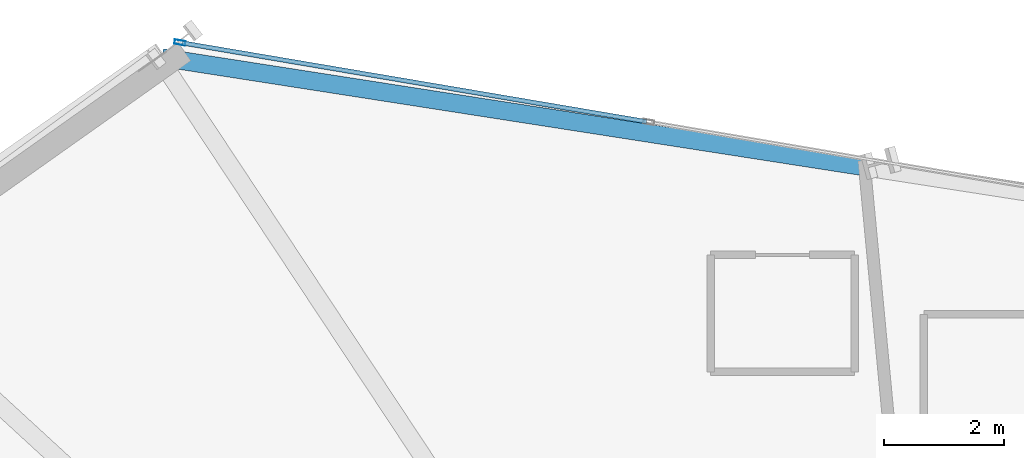
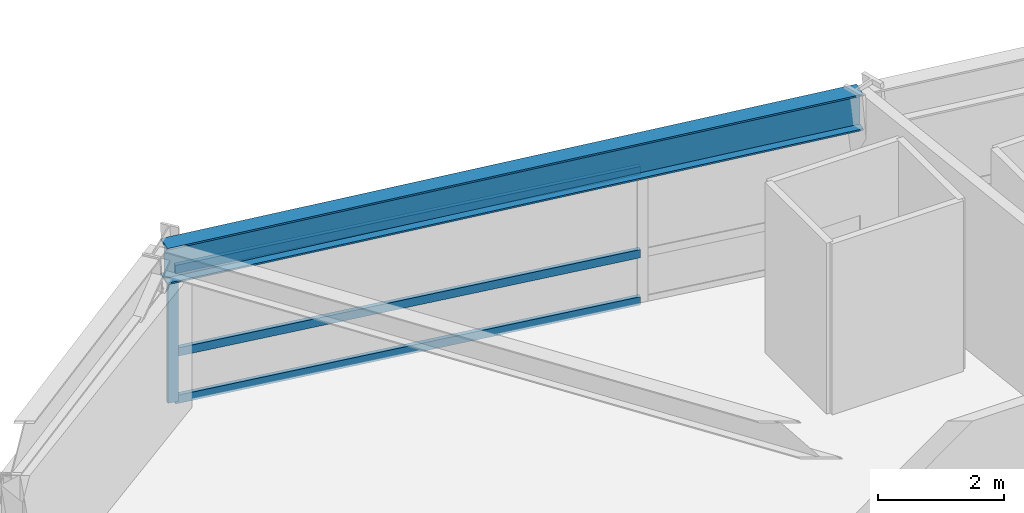
# One storey, part 8 of 21: 4 members, 1 beam, 1 element without a shape of its own.
"""IFC4 building model written with IfcOpenShell, lengths in metres."""

import ifcopenshell
import ifcopenshell.guid

model = None  # the IFC model being written
_history = None  # IfcOwnerHistory: only IFC2X3 demands one
_inside = {}  # id of a spatial element -> (the spatial element, [elements in it])
_under = {}  # id of a project, library or spatial element -> (it, [spatial elements below it])
_declared = {}  # id of a project -> (the project, [libraries it declares])
_typed = {}  # id of a type object -> (the type object, [elements of that type])
_made_of = {}  # id of a material, layer set ... -> (it, [elements and type objects made of it])


def new_model(schema):
    """Start an empty IFC model of exactly this schema.

    Asked for "IFC4X3", IfcOpenShell would pick the latest addendum, in which some entities
    have other attributes; the version numbers below select the first issue.
    IFC2X3 requires an IfcOwnerHistory on every rooted entity: one is made here for all.
    """
    global model, _history
    if schema == "IFC4X3":
        model = ifcopenshell.file(schema_version=(4, 3, 0, 0))
    else:
        model = ifcopenshell.file(schema=schema)
    _inside.clear()
    _under.clear()
    _declared.clear()
    _typed.clear()
    _made_of.clear()
    _history = None
    if model.schema == "IFC2X3":
        org = make("IfcOrganization", Name="unknown")
        user = make(
            "IfcPersonAndOrganization",
            ThePerson=make("IfcPerson", FamilyName="unknown"),
            TheOrganization=org,
        )
        app = make(
            "IfcApplication",
            ApplicationDeveloper=org,
            Version="unknown",
            ApplicationFullName="unknown",
            ApplicationIdentifier="unknown",
        )
        _history = make(
            "IfcOwnerHistory",
            OwningUser=user,
            OwningApplication=app,
            ChangeAction="ADDED",
            CreationDate=0,
        )
    return model


def make(cls, **values):
    """One entity of the class cls with the attributes given. An attribute that is None is left unset."""
    return model.create_entity(
        cls, **{name: value for name, value in values.items() if value is not None}
    )


def rooted(cls, **values):
    """An entity with a GlobalId (a new one), such as an element, a storey or a relation."""
    return make(cls, GlobalId=ifcopenshell.guid.new(), OwnerHistory=_history, **values)


def si_unit(unit_type, name, prefix=None):
    """IfcSIUnit, for example si_unit("LENGTHUNIT", "METRE", prefix="MILLI")."""
    return make("IfcSIUnit", UnitType=unit_type, Prefix=prefix, Name=name)


def assignment(units):
    """IfcUnitAssignment: the units of a project."""
    return None if units is None else make("IfcUnitAssignment", Units=units)


def point(xyz):
    """IfcCartesianPoint."""
    return None if xyz is None else make("IfcCartesianPoint", Coordinates=xyz)


def direction(xyz):
    """IfcDirection."""
    return None if xyz is None else make("IfcDirection", DirectionRatios=xyz)


def frame(location, z_axis=None, x_axis=None):
    """IfcAxis2Placement3D, a coordinate frame: its origin and axes. An axis left out is left unset."""
    return make(
        "IfcAxis2Placement3D",
        Location=point(location),
        Axis=direction(z_axis),
        RefDirection=direction(x_axis),
    )


def frame_2d(location, x_axis=None):
    """IfcAxis2Placement2D, a coordinate frame in the plane: its origin and x axis."""
    return make(
        "IfcAxis2Placement2D", Location=point(location), RefDirection=direction(x_axis)
    )


def origin():
    """The frame at (0, 0, 0) with its axes left unset."""
    return frame((0.0, 0.0, 0.0))


def origin_2d():
    """The frame at (0, 0) in the plane with its x axis left unset."""
    return frame_2d((0.0, 0.0))


def place(relative_to, where):
    """IfcLocalPlacement: puts the frame where relative to a parent placement (None: the world)."""
    return make(
        "IfcLocalPlacement", PlacementRelTo=relative_to, RelativePlacement=where
    )


def context(
    kind, dimensions, precision=None, world=None, true_north=None, identifier=None
):
    """IfcGeometricRepresentationContext, for example the 3D "Model" context."""
    return make(
        "IfcGeometricRepresentationContext",
        ContextIdentifier=identifier,
        ContextType=kind,
        CoordinateSpaceDimension=dimensions,
        Precision=precision,
        WorldCoordinateSystem=world,
        TrueNorth=true_north,
    )


def subcontext(parent, identifier, kind, view, scale=None):
    """IfcGeometricRepresentationSubContext, for example "Body" below "Model"."""
    return make(
        "IfcGeometricRepresentationSubContext",
        ContextIdentifier=identifier,
        ContextType=kind,
        ParentContext=parent,
        TargetScale=scale,
        TargetView=view,
    )


def project(units=None, contexts=None):
    """IfcProject with its units and contexts."""
    return rooted(
        "IfcProject",
        Name="project",
        RepresentationContexts=contexts,
        UnitsInContext=assignment(units),
    )


def spatial(cls, under=None, at=None, **own):
    """A site, building, storey or space (cls), placed at a placement, below another one or the project."""
    s = rooted(cls, ObjectPlacement=at, **own)
    if under is not None:
        _under.setdefault(under.id(), (under, []))[1].append(s)
    return s


def profile(cls, at=None, kind="AREA", **sizes):
    """A parametric profile (cls). Its sizes go by their IFC names, for example OverallWidth=200.0."""
    return make(cls, ProfileType=kind, Position=at, **sizes)


def hollow_rectangle(**sizes):
    """IfcRectangleHollowProfileDef."""
    return profile("IfcRectangleHollowProfileDef", **sizes)


def i_section(**sizes):
    """IfcIShapeProfileDef."""
    return profile("IfcIShapeProfileDef", **sizes)


def extrude(swept, where, along, depth):
    """IfcExtrudedAreaSolid: the profile swept, set in the frame where, extruded along a direction by depth."""
    return make(
        "IfcExtrudedAreaSolid",
        SweptArea=swept,
        Position=where,
        ExtrudedDirection=direction(along),
        Depth=depth,
    )


def shape(context_of_items, identifier, shape_type, items):
    """IfcShapeRepresentation: the items that make up one representation, for example the "Body"."""
    return make(
        "IfcShapeRepresentation",
        ContextOfItems=context_of_items,
        RepresentationIdentifier=identifier,
        RepresentationType=shape_type,
        Items=items,
    )


def source(mapping_origin, context_of_items, identifier, shape_type, items):
    """IfcRepresentationMap: a shape defined once, which mapped items show again and again."""
    return make(
        "IfcRepresentationMap",
        MappingOrigin=mapping_origin,
        MappedRepresentation=shape(context_of_items, identifier, shape_type, items),
    )


def transform(
    local_origin,
    x_axis=None,
    y_axis=None,
    z_axis=None,
    scale=None,
    scale2=None,
    scale3=None,
    uniform=True,
):
    """IfcCartesianTransformationOperator3D, or its non-uniform kind. x_axis, y_axis, z_axis: its Axis1, 2, 3."""
    if uniform:
        return make(
            "IfcCartesianTransformationOperator3D",
            Axis1=direction(x_axis),
            Axis2=direction(y_axis),
            LocalOrigin=point(local_origin),
            Scale=scale,
            Axis3=direction(z_axis),
        )
    return make(
        "IfcCartesianTransformationOperator3DnonUniform",
        Axis1=direction(x_axis),
        Axis2=direction(y_axis),
        LocalOrigin=point(local_origin),
        Scale=scale,
        Axis3=direction(z_axis),
        Scale2=scale2,
        Scale3=scale3,
    )


def mapped(mapping_source, mapping_target):
    """IfcMappedItem: shows the shape of a source again, moved by a transform."""
    return make(
        "IfcMappedItem", MappingSource=mapping_source, MappingTarget=mapping_target
    )


def material(Name=None, Category=None):
    """IfcMaterial."""
    return make("IfcMaterial", Name=Name, Category=Category)


def material_profile(
    of_material, cross_section, Name=None, Category=None, Priority=None
):
    """IfcMaterialProfile: a cross section and its material."""
    return make(
        "IfcMaterialProfile",
        Name=Name,
        Material=of_material,
        Profile=cross_section,
        Priority=Priority,
        Category=Category,
    )


def profile_set(profiles, Name=None, composite=None):
    """IfcMaterialProfileSet."""
    return make(
        "IfcMaterialProfileSet",
        Name=Name,
        MaterialProfiles=profiles,
        CompositeProfile=composite,
    )


def made_of(thing, what):
    """Note that an element or type object is made of a material, layer set ...; save() writes the relation."""
    if what is not None:
        _made_of.setdefault(what.id(), (what, []))[1].append(thing)
    return thing


def type_object(cls, material=None, **own):
    """A type object (cls), such as IfcWallType, which elements share."""
    return made_of(rooted(cls, **own), material)


def element(
    cls,
    number,
    at=None,
    inside=None,
    cuts=None,
    type_object=None,
    material=None,
    context=None,
    identifier="Body",
    shape_type=None,
    held_by="IfcProductDefinitionShape",
    body=None,
    shapes=None,
    **own,
):
    """One element of the class cls, such as IfcWall. Its Tag is "e" and its number.

    at: its placement. inside: the storey or other place that contains it. cuts: it is an
    opening in that element (IfcRelVoidsElement). A single representation is given by context,
    identifier, shape_type and body (its items); several are given by shapes. held_by: the class
    of the entity that holds the representations. save() writes the other relations.
    """
    e = rooted(cls, Tag="e%d" % number, ObjectPlacement=at, **own)
    if body is not None:
        shapes = [shape(context, identifier, shape_type, body)]
    if shapes is not None:
        e.Representation = make(held_by, Representations=shapes)
    if inside is not None:
        _inside.setdefault(inside.id(), (inside, []))[1].append(e)
    if cuts is not None:
        rooted(
            "IfcRelVoidsElement", RelatingBuildingElement=cuts, RelatedOpeningElement=e
        )
    if type_object is not None:
        _typed.setdefault(type_object.id(), (type_object, []))[1].append(e)
    return made_of(e, material)


def aggregate(whole, parts):
    """IfcRelAggregates: a whole, such as a stair, and the parts it consists of."""
    return rooted("IfcRelAggregates", RelatingObject=whole, RelatedObjects=parts)


def save(model, path):
    """Write the relations noted so far, then the file.

    IfcRelAggregates (storeys below a building ...), IfcRelContainedInSpatialStructure (elements
    in a storey), IfcRelDefinesByType, IfcRelAssociatesMaterial and IfcRelDeclares: one each for
    every whole, place, type object, material and project.
    """
    for whole, parts in _under.values():
        aggregate(whole, parts)
    for where, things in _inside.values():
        rooted(
            "IfcRelContainedInSpatialStructure",
            RelatedElements=things,
            RelatingStructure=where,
        )
    for kind, things in _typed.values():
        rooted("IfcRelDefinesByType", RelatedObjects=things, RelatingType=kind)
    for what, things in _made_of.values():
        rooted("IfcRelAssociatesMaterial", RelatedObjects=things, RelatingMaterial=what)
    for by, libraries in _declared.values():
        rooted("IfcRelDeclares", RelatingContext=by, RelatedDefinitions=libraries)
    model.write(path)


model = new_model("IFC4")

# Units and contexts
model_context = context("Model", 3, precision=1e-05, world=origin(), true_north=direction((0.0, 1.0)))
body_context = subcontext(model_context, "Body", "Model", "MODEL_VIEW")
ifc_project = project(units=[si_unit("LENGTHUNIT", "METRE"), si_unit("AREAUNIT", "SQUARE_METRE"), si_unit("VOLUMEUNIT", "CUBIC_METRE"), si_unit("PLANEANGLEUNIT", "RADIAN"), si_unit("MASSUNIT", "GRAM", prefix="KILO")], contexts=[model_context])

# Site, building, storey
site_placement = place(None, origin())
site = spatial("IfcSite", under=ifc_project, at=site_placement, CompositionType="ELEMENT")
building_placement = place(site_placement, origin())
building = spatial("IfcBuilding", under=site, at=building_placement, Name="Olszyna Solenne Hotel", CompositionType="ELEMENT")
storey_placement = place(building_placement, frame((0.0, 0.0, 47.050048828125)))
storey = spatial("IfcBuildingStorey", under=building, at=storey_placement, Name="L11", CompositionType="ELEMENT", Elevation=47.050048828125)

# Beam
ifc_material_1 = material(Name="Steel S355J2", Category="steel")
ifc_material_profile_1 = material_profile(ifc_material_1, i_section(OverallWidth=0.300048828125, OverallDepth=0.699951171875, WebThickness=0.01708984375, FlangeThickness=0.031982421875, at=origin_2d()), Name="HEB 700", Category="load-bearing")
ifc_profile_set_1 = profile_set([ifc_material_profile_1], Name="Steel S355J2")
beam_type = type_object("IfcBeamType", Name="BM-S1", PredefinedType="BEAM", material=ifc_profile_set_1)
shared_shape_1 = source(origin(), body_context, "Body", "SweptSolid", [
    extrude(i_section(OverallWidth=0.300048828125, OverallDepth=0.699951171875, WebThickness=0.01708984375, FlangeThickness=0.031982421875, at=origin_2d()), origin(), (0.0, 0.0, 1.0), 11.8134765625),
])
beam_placement = place(storey_placement, frame((36.198486328125, 45.22509765625, 2.949951171875), z_axis=(-0.988121420799, 0.15367516962, 0.0), x_axis=(-0.15367516962, -0.988121420799, 0.0)))
element("IfcBeam", 1, at=beam_placement, inside=storey, type_object=beam_type, Name="Perimeter spandrel beam BM-S1 B-L11-0350", PredefinedType="BEAM", context=body_context, shape_type="MappedRepresentation", body=[
    mapped(shared_shape_1, transform((0.0, 0.0, 0.0), x_axis=(1.0, 0.0, 0.0), y_axis=(0.0, 1.0, 0.0), z_axis=(0.0, 0.0, 1.0), scale=1.0)),
])

# Curtain wall, members
ifc_material_2 = material(Name="Anodised bronze aluminium", Category="aluminium")
curtain_wall_type = type_object("IfcCurtainWallType", Name="CW-SYS-2", PredefinedType="NOTDEFINED", material=ifc_material_2)
curtain_wall_placement = place(storey_placement, origin())
curtain_wall = element("IfcCurtainWall", 2, at=curtain_wall_placement, inside=storey, type_object=curtain_wall_type, Name="Unitised curtain wall CW-SYS-2 CW-L11-02", PredefinedType="NOTDEFINED")
ifc_material_profile_2 = material_profile(ifc_material_2, hollow_rectangle(XDim=0.074951171875, YDim=0.179931640625, WallThickness=0.00439453125, at=origin_2d()), Name="MULL 180x75x4.5", Category="load-bearing")
ifc_profile_set_2 = profile_set([ifc_material_profile_2], Name="Anodised bronze aluminium")
member_type_1 = type_object("IfcMemberType", Name="CW-M2", PredefinedType="MULLION", material=ifc_profile_set_2)
shared_shape_2 = source(origin(), body_context, "Body", "SweptSolid", [
    extrude(hollow_rectangle(XDim=0.074951171875, YDim=0.179931640625, WallThickness=0.00439453125, at=origin_2d()), origin(), (0.0, 0.0, 1.0), 2.592041015625),
])
member_1_placement = place(storey_placement, frame((24.8251953125, 47.2919921875, 0.0), z_axis=(0.0, 0.0, 1.0), x_axis=(0.167319932978, 0.98590265241, 0.0)))
member_1 = element("IfcMember", 3, at=member_1_placement, type_object=member_type_1, Name="Curtain-wall mullion CW-M2 CM-L11-02-01", PredefinedType="MULLION", context=body_context, shape_type="MappedRepresentation", body=[
    mapped(shared_shape_2, transform((0.0, 0.0, 0.0), x_axis=(1.0, 0.0, 0.0), y_axis=(0.0, 1.0, 0.0), z_axis=(0.0, 0.0, 1.0), scale=1.0)),
])
ifc_material_profile_3 = material_profile(ifc_material_2, hollow_rectangle(XDim=0.074951171875, YDim=0.159912109375, WallThickness=0.00390625, at=origin_2d()), Name="TRAN 160x75x4", Category="load-bearing")
ifc_profile_set_3 = profile_set([ifc_material_profile_3], Name="Anodised bronze aluminium")
member_type_2 = type_object("IfcMemberType", Name="CW-T1", PredefinedType="USERDEFINED", material=ifc_profile_set_3)
shared_shape_3 = source(origin(), body_context, "Body", "SweptSolid", [
    extrude(hollow_rectangle(XDim=0.074951171875, YDim=0.159912109375, WallThickness=0.00390625, at=origin_2d()), origin(), (0.0, 0.0, 1.0), 7.85400390625),
])
member_2_placement = place(storey_placement, frame((24.862060546875, 47.28564453125, 0.037353515625), z_axis=(0.985906595778, -0.16729669573, 0.0), x_axis=(0.16729669573, 0.985906595778, 0.0)))
member_2 = element("IfcMember", 4, at=member_2_placement, type_object=member_type_2, Name="Curtain-wall transom CW-T1 CT-L11-02-01", ObjectType="TRANSOM", PredefinedType="USERDEFINED", context=body_context, shape_type="MappedRepresentation", body=[
    mapped(shared_shape_3, transform((0.0, 0.0, 0.0), x_axis=(1.0, 0.0, 0.0), y_axis=(0.0, 1.0, 0.0), z_axis=(0.0, 0.0, 1.0), scale=1.0)),
])
member_3_placement = place(storey_placement, frame((24.862060546875, 47.28564453125, 0.949951171875), z_axis=(0.985906595778, -0.16729669573, 0.0), x_axis=(0.16729669573, 0.985906595778, 0.0)))
member_3 = element("IfcMember", 5, at=member_3_placement, type_object=member_type_2, Name="Curtain-wall transom CW-T1 CT-L11-02-02", ObjectType="TRANSOM", PredefinedType="USERDEFINED", context=body_context, shape_type="MappedRepresentation", body=[
    mapped(shared_shape_3, transform((0.0, 0.0, 0.0), x_axis=(1.0, 0.0, 0.0), y_axis=(0.0, 1.0, 0.0), z_axis=(0.0, 0.0, 1.0), scale=1.0)),
])
member_4_placement = place(storey_placement, frame((24.862060546875, 47.28564453125, 2.554443359375), z_axis=(0.985906595778, -0.16729669573, 0.0), x_axis=(0.16729669573, 0.985906595778, 0.0)))
member_4 = element("IfcMember", 6, at=member_4_placement, type_object=member_type_2, Name="Curtain-wall transom CW-T1 CT-L11-02-03", ObjectType="TRANSOM", PredefinedType="USERDEFINED", context=body_context, shape_type="MappedRepresentation", body=[
    mapped(shared_shape_3, transform((0.0, 0.0, 0.0), x_axis=(1.0, 0.0, 0.0), y_axis=(0.0, 1.0, 0.0), z_axis=(0.0, 0.0, 1.0), scale=1.0)),
])
aggregate(curtain_wall, [member_1, member_2, member_3, member_4])

save(model, "model.ifc")
